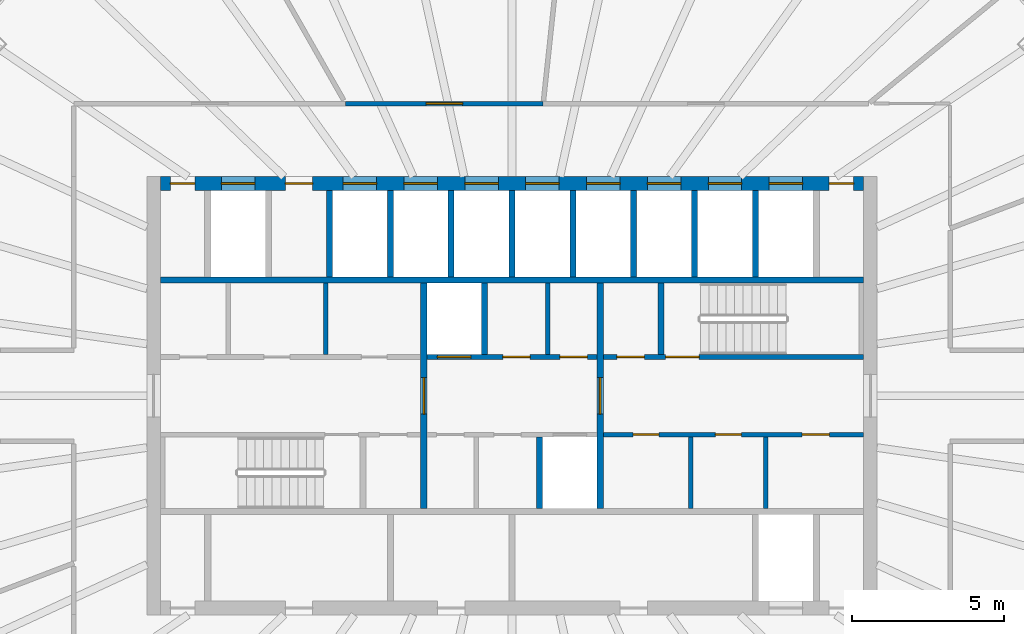
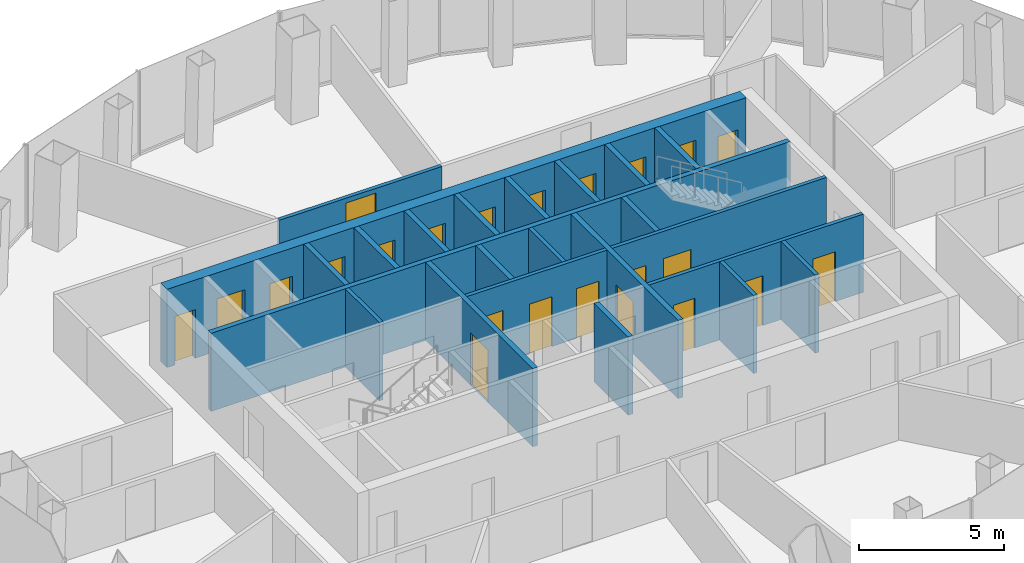
# One storey, part 9 of 11: 23 doors, 23 walls, 23 openings.
"""IFC4 building model written with IfcOpenShell, lengths in metres."""

from ifc_helpers import new_model, si_unit, direction, frame, frame_2d, origin, place, context, subcontext, project, spatial, rectangle, extrude, material, layer, layer_set, type_object, element, fill, save


model = new_model("IFC4")

# Units and contexts
model_context = context("Model", 3, precision=1e-05, world=origin(), true_north=direction((0.0, 1.0)))
body_context = subcontext(model_context, "Body", "Model", "MODEL_VIEW")
ifc_project = project(units=[si_unit("LENGTHUNIT", "METRE"), si_unit("AREAUNIT", "SQUARE_METRE"), si_unit("VOLUMEUNIT", "CUBIC_METRE"), si_unit("PLANEANGLEUNIT", "RADIAN"), si_unit("MASSUNIT", "GRAM", prefix="KILO")], contexts=[model_context])

# Site, building, storey
site_placement = place(None, origin())
site = spatial("IfcSite", under=ifc_project, at=site_placement, CompositionType="ELEMENT")
building_placement = place(site_placement, origin())
building = spatial("IfcBuilding", under=site, at=building_placement, Name="Siaravel Broadcast Tower", CompositionType="ELEMENT")
storey_placement = place(building_placement, frame((0.0, 0.0, 186.699951171875)))
storey = spatial("IfcBuildingStorey", under=building, at=storey_placement, Name="L45", CompositionType="ELEMENT", Elevation=186.699951171875)

# Walls
ifc_material_1 = material(Name="Concrete blockwork", Category="masonry")
ifc_layer_1 = layer(ifc_material_1, 0.14990234375)
ifc_layer_set_1 = layer_set([ifc_layer_1], Name="Concrete blockwork")
wall_type_1 = type_object("IfcWallType", Name="Core partition 150", PredefinedType="PARTITIONING", material=ifc_layer_set_1)
for number, where, z_axis, x_axis, name in (
    (1, (-6.12744140625, 1.35009765625, 0.0), (0.0, 0.0, 1.0), (0.0, 1.0, 0.0), "L45 core partition PNW1"),
    (2, (5.8798828125, -3.699951171875, 0.0), (0.0, 0.0, 1.0), (0.0, 1.0, 0.0), "L45 core partition PSE0"),
    (3, (8.340087890625, -3.699951171875, 0.0), (0.0, 0.0, 1.0), (0.0, 1.0, 0.0), "L45 core partition PSE1"),
    (4, (1.172607421875, 1.35009765625, 0.0), (0.0, 0.0, 1.0), (0.0, 1.0, 0.0), "L45 core partition PNM0"),
):
    element("IfcWall", number, at=place(storey_placement, frame(where, z_axis=z_axis, x_axis=x_axis)), inside=storey, type_object=wall_type_1, Name=name, PredefinedType="PARTITIONING", context=body_context, shape_type="SweptSolid", body=[
        extrude(rectangle(XDim=2.349853515625, YDim=0.14990234375, at=frame_2d((1.1748046875, 0.0))), origin(), (0.0, 0.0, 1.0), 3.300048828125),
    ])

# Wall, openings, doors
ifc_material_2 = material(Name="Concrete C60/75", Category="concrete")
ifc_layer_2 = layer(ifc_material_2, 0.449951171875)
ifc_layer_set_2 = layer_set([ifc_layer_2], Name="Concrete C60/75")
wall_type_2 = type_object("IfcWallType", Name="Core wall 450", PredefinedType="SHEAR", material=ifc_layer_set_2)
wall_1_placement = place(storey_placement, frame((-11.550048828125, 6.97509765625, 0.0), z_axis=(0.0, 0.0, 1.0), x_axis=(1.0, 0.0, 0.0)))
wall_1 = element("IfcWall", 5, at=wall_1_placement, inside=storey, type_object=wall_type_2, Name="L45 core wall ON", PredefinedType="SHEAR", context=body_context, shape_type="SweptSolid", body=[
    extrude(rectangle(XDim=23.10009765625, YDim=0.449951171875, at=frame_2d((11.550048828125, 0.0))), origin(), (0.0, 0.0, 1.0), 3.300048828125),
])
opening_1_placement = place(wall_1_placement, frame((2.0, 0.0, 0.0)))
opening_1 = element("IfcOpeningElement", 6, at=opening_1_placement, cuts=wall_1, Name="Opening LD-SV2-L45", PredefinedType="OPENING", context=body_context, shape_type="SweptSolid", body=[
    extrude(rectangle(XDim=1.10009765625, YDim=2.199951171875, at=frame_2d((0.550048828125, 1.10009765625))), frame((0.0, 0.23486328125, 0.0), z_axis=(0.0, -1.0, 0.0), x_axis=(1.0, 0.0, 0.0)), (0.0, 0.0, 1.0), 0.469970703125),
])
opening_2_placement = place(wall_1_placement, frame((6.0, 0.0, 0.0)))
opening_2 = element("IfcOpeningElement", 7, at=opening_2_placement, cuts=wall_1, Name="Opening LD-HP1-L45", PredefinedType="OPENING", context=body_context, shape_type="SweptSolid", body=[
    extrude(rectangle(XDim=1.10009765625, YDim=2.199951171875, at=frame_2d((0.550048828125, 1.10009765625))), frame((0.0, 0.23486328125, 0.0), z_axis=(0.0, -1.0, 0.0), x_axis=(1.0, 0.0, 0.0)), (0.0, 0.0, 1.0), 0.469970703125),
])
opening_3_placement = place(wall_1_placement, frame((8.0, 0.0, 0.0)))
opening_3 = element("IfcOpeningElement", 8, at=opening_3_placement, cuts=wall_1, Name="Opening LD-HP2-L45", PredefinedType="OPENING", context=body_context, shape_type="SweptSolid", body=[
    extrude(rectangle(XDim=1.10009765625, YDim=2.199951171875, at=frame_2d((0.550048828125, 1.10009765625))), frame((0.0, 0.23486328125, 0.0), z_axis=(0.0, -1.0, 0.0), x_axis=(1.0, 0.0, 0.0)), (0.0, 0.0, 1.0), 0.469970703125),
])
opening_4_placement = place(wall_1_placement, frame((10.0, 0.0, 0.0)))
opening_4 = element("IfcOpeningElement", 9, at=opening_4_placement, cuts=wall_1, Name="Opening LD-HP3-L45", PredefinedType="OPENING", context=body_context, shape_type="SweptSolid", body=[
    extrude(rectangle(XDim=1.10009765625, YDim=2.199951171875, at=frame_2d((0.550048828125, 1.10009765625))), frame((0.0, 0.23486328125, 0.0), z_axis=(0.0, -1.0, 0.0), x_axis=(1.0, 0.0, 0.0)), (0.0, 0.0, 1.0), 0.469970703125),
])
opening_5_placement = place(wall_1_placement, frame((12.0, 0.0, 0.0)))
opening_5 = element("IfcOpeningElement", 10, at=opening_5_placement, cuts=wall_1, Name="Opening LD-HP4-L45", PredefinedType="OPENING", context=body_context, shape_type="SweptSolid", body=[
    extrude(rectangle(XDim=1.10009765625, YDim=2.199951171875, at=frame_2d((0.550048828125, 1.10009765625))), frame((0.0, 0.23486328125, 0.0), z_axis=(0.0, -1.0, 0.0), x_axis=(1.0, 0.0, 0.0)), (0.0, 0.0, 1.0), 0.469970703125),
])
opening_6_placement = place(wall_1_placement, frame((14.0, 0.0, 0.0)))
opening_6 = element("IfcOpeningElement", 11, at=opening_6_placement, cuts=wall_1, Name="Opening LD-HP5-L45", PredefinedType="OPENING", context=body_context, shape_type="SweptSolid", body=[
    extrude(rectangle(XDim=1.10009765625, YDim=2.199951171875, at=frame_2d((0.550048828125, 1.10009765625))), frame((0.0, 0.23486328125, 0.0), z_axis=(0.0, -1.0, 0.0), x_axis=(1.0, 0.0, 0.0)), (0.0, 0.0, 1.0), 0.469970703125),
])
opening_7_placement = place(wall_1_placement, frame((16.0, 0.0, 0.0)))
opening_7 = element("IfcOpeningElement", 12, at=opening_7_placement, cuts=wall_1, Name="Opening LD-HP6-L45", PredefinedType="OPENING", context=body_context, shape_type="SweptSolid", body=[
    extrude(rectangle(XDim=1.10009765625, YDim=2.199951171875, at=frame_2d((0.550048828125, 1.10009765625))), frame((0.0, 0.23486328125, 0.0), z_axis=(0.0, -1.0, 0.0), x_axis=(1.0, 0.0, 0.0)), (0.0, 0.0, 1.0), 0.469970703125),
])
opening_8_placement = place(wall_1_placement, frame((18.0, 0.0, 0.0)))
opening_8 = element("IfcOpeningElement", 13, at=opening_8_placement, cuts=wall_1, Name="Opening LD-HP7-L45", PredefinedType="OPENING", context=body_context, shape_type="SweptSolid", body=[
    extrude(rectangle(XDim=1.10009765625, YDim=2.199951171875, at=frame_2d((0.550048828125, 1.10009765625))), frame((0.0, 0.23486328125, 0.0), z_axis=(0.0, -1.0, 0.0), x_axis=(1.0, 0.0, 0.0)), (0.0, 0.0, 1.0), 0.469970703125),
])
opening_9_placement = place(wall_1_placement, frame((20.0, 0.0, 0.0)))
opening_9 = element("IfcOpeningElement", 14, at=opening_9_placement, cuts=wall_1, Name="Opening LD-HP8-L45", PredefinedType="OPENING", context=body_context, shape_type="SweptSolid", body=[
    extrude(rectangle(XDim=1.10009765625, YDim=2.199951171875, at=frame_2d((0.550048828125, 1.10009765625))), frame((0.0, 0.23486328125, 0.0), z_axis=(0.0, -1.0, 0.0), x_axis=(1.0, 0.0, 0.0)), (0.0, 0.0, 1.0), 0.469970703125),
])
opening_10_placement = place(wall_1_placement, frame((4.10009765625, 0.0, 0.0)))
opening_10 = element("IfcOpeningElement", 15, at=opening_10_placement, cuts=wall_1, Name="Opening L45-DFN1", PredefinedType="OPENING", context=body_context, shape_type="SweptSolid", body=[
    extrude(rectangle(XDim=0.89990234375, YDim=2.10009765625, at=frame_2d((0.449951171875, 1.050048828125))), frame((0.0, 0.23486328125, 0.0), z_axis=(0.0, -1.0, 0.0), x_axis=(1.0, 0.0, 0.0)), (0.0, 0.0, 1.0), 0.469970703125),
])
opening_11_placement = place(wall_1_placement, frame((0.324951171875, 0.0, 0.0)))
opening_11 = element("IfcOpeningElement", 16, at=opening_11_placement, cuts=wall_1, Name="Opening L45-DRNW", PredefinedType="OPENING", context=body_context, shape_type="SweptSolid", body=[
    extrude(rectangle(XDim=0.800048828125, YDim=2.050048828125, at=frame_2d((0.39990234375, 1.02490234375))), frame((0.0, 0.23486328125, 0.0), z_axis=(0.0, -1.0, 0.0), x_axis=(1.0, 0.0, 0.0)), (0.0, 0.0, 1.0), 0.469970703125),
])
opening_12_placement = place(wall_1_placement, frame((21.97509765625, 0.0, 0.0)))
opening_12 = element("IfcOpeningElement", 17, at=opening_12_placement, cuts=wall_1, Name="Opening L45-DRNE", PredefinedType="OPENING", context=body_context, shape_type="SweptSolid", body=[
    extrude(rectangle(XDim=0.800048828125, YDim=2.050048828125, at=frame_2d((0.39990234375, 1.02490234375))), frame((0.0, 0.23486328125, 0.0), z_axis=(0.0, -1.0, 0.0), x_axis=(1.0, 0.0, 0.0)), (0.0, 0.0, 1.0), 0.469970703125),
])
ifc_material_3 = material(Name="Timber veneer", Category="wood")
door_type_1 = type_object("IfcDoorType", Name="Core room door 900", OperationType="SINGLE_SWING_LEFT", PredefinedType="DOOR", material=ifc_material_3)
door_1_placement = place(opening_10_placement, origin())
door_1 = element("IfcDoor", 18, at=door_1_placement, inside=storey, type_object=door_type_1, Name="L45 door DFN1", OperationType="SINGLE_SWING_LEFT", OverallHeight=2.10009765625, OverallWidth=0.89990234375, PredefinedType="DOOR", context=body_context, shape_type="SweptSolid", body=[
    extrude(rectangle(XDim=0.89990234375, YDim=2.10009765625, at=frame_2d((0.449951171875, 1.050048828125))), frame((0.0, 0.02490234375, 0.0), z_axis=(0.0, -1.0, 0.0), x_axis=(1.0, 0.0, 0.0)), (0.0, 0.0, 1.0), 0.050048828125),
])
fill(opening_10, door_1)
ifc_material_4 = material(Name="Stainless steel 316L", Category="steel")
door_type_2 = type_object("IfcDoorType", Name="Lift landing door 1100", OperationType="DOUBLE_DOOR_SLIDING", PredefinedType="DOOR", material=ifc_material_4)
door_2_placement = place(opening_2_placement, origin())
door_2 = element("IfcDoor", 19, at=door_2_placement, inside=storey, type_object=door_type_2, Name="Landing door HP1 L45", OperationType="DOUBLE_DOOR_SLIDING", OverallHeight=2.199951171875, OverallWidth=1.10009765625, PredefinedType="DOOR", context=body_context, shape_type="SweptSolid", body=[
    extrude(rectangle(XDim=1.10009765625, YDim=2.199951171875, at=frame_2d((0.550048828125, 1.10009765625))), frame((0.0, 0.02490234375, 0.0), z_axis=(0.0, -1.0, 0.0), x_axis=(1.0, 0.0, 0.0)), (0.0, 0.0, 1.0), 0.050048828125),
])
fill(opening_2, door_2)
door_3_placement = place(opening_3_placement, origin())
door_3 = element("IfcDoor", 20, at=door_3_placement, inside=storey, type_object=door_type_2, Name="Landing door HP2 L45", OperationType="DOUBLE_DOOR_SLIDING", OverallHeight=2.199951171875, OverallWidth=1.10009765625, PredefinedType="DOOR", context=body_context, shape_type="SweptSolid", body=[
    extrude(rectangle(XDim=1.10009765625, YDim=2.199951171875, at=frame_2d((0.550048828125, 1.10009765625))), frame((0.0, 0.02490234375, 0.0), z_axis=(0.0, -1.0, 0.0), x_axis=(1.0, 0.0, 0.0)), (0.0, 0.0, 1.0), 0.050048828125),
])
fill(opening_3, door_3)
door_4_placement = place(opening_4_placement, origin())
door_4 = element("IfcDoor", 21, at=door_4_placement, inside=storey, type_object=door_type_2, Name="Landing door HP3 L45", OperationType="DOUBLE_DOOR_SLIDING", OverallHeight=2.199951171875, OverallWidth=1.10009765625, PredefinedType="DOOR", context=body_context, shape_type="SweptSolid", body=[
    extrude(rectangle(XDim=1.10009765625, YDim=2.199951171875, at=frame_2d((0.550048828125, 1.10009765625))), frame((0.0, 0.02490234375, 0.0), z_axis=(0.0, -1.0, 0.0), x_axis=(1.0, 0.0, 0.0)), (0.0, 0.0, 1.0), 0.050048828125),
])
fill(opening_4, door_4)
door_5_placement = place(opening_5_placement, origin())
door_5 = element("IfcDoor", 22, at=door_5_placement, inside=storey, type_object=door_type_2, Name="Landing door HP4 L45", OperationType="DOUBLE_DOOR_SLIDING", OverallHeight=2.199951171875, OverallWidth=1.10009765625, PredefinedType="DOOR", context=body_context, shape_type="SweptSolid", body=[
    extrude(rectangle(XDim=1.10009765625, YDim=2.199951171875, at=frame_2d((0.550048828125, 1.10009765625))), frame((0.0, 0.02490234375, 0.0), z_axis=(0.0, -1.0, 0.0), x_axis=(1.0, 0.0, 0.0)), (0.0, 0.0, 1.0), 0.050048828125),
])
fill(opening_5, door_5)
door_6_placement = place(opening_6_placement, origin())
door_6 = element("IfcDoor", 23, at=door_6_placement, inside=storey, type_object=door_type_2, Name="Landing door HP5 L45", OperationType="DOUBLE_DOOR_SLIDING", OverallHeight=2.199951171875, OverallWidth=1.10009765625, PredefinedType="DOOR", context=body_context, shape_type="SweptSolid", body=[
    extrude(rectangle(XDim=1.10009765625, YDim=2.199951171875, at=frame_2d((0.550048828125, 1.10009765625))), frame((0.0, 0.02490234375, 0.0), z_axis=(0.0, -1.0, 0.0), x_axis=(1.0, 0.0, 0.0)), (0.0, 0.0, 1.0), 0.050048828125),
])
fill(opening_6, door_6)
door_7_placement = place(opening_7_placement, origin())
door_7 = element("IfcDoor", 24, at=door_7_placement, inside=storey, type_object=door_type_2, Name="Landing door HP6 L45", OperationType="DOUBLE_DOOR_SLIDING", OverallHeight=2.199951171875, OverallWidth=1.10009765625, PredefinedType="DOOR", context=body_context, shape_type="SweptSolid", body=[
    extrude(rectangle(XDim=1.10009765625, YDim=2.199951171875, at=frame_2d((0.550048828125, 1.10009765625))), frame((0.0, 0.02490234375, 0.0), z_axis=(0.0, -1.0, 0.0), x_axis=(1.0, 0.0, 0.0)), (0.0, 0.0, 1.0), 0.050048828125),
])
fill(opening_7, door_7)
door_8_placement = place(opening_8_placement, origin())
door_8 = element("IfcDoor", 25, at=door_8_placement, inside=storey, type_object=door_type_2, Name="Landing door HP7 L45", OperationType="DOUBLE_DOOR_SLIDING", OverallHeight=2.199951171875, OverallWidth=1.10009765625, PredefinedType="DOOR", context=body_context, shape_type="SweptSolid", body=[
    extrude(rectangle(XDim=1.10009765625, YDim=2.199951171875, at=frame_2d((0.550048828125, 1.10009765625))), frame((0.0, 0.02490234375, 0.0), z_axis=(0.0, -1.0, 0.0), x_axis=(1.0, 0.0, 0.0)), (0.0, 0.0, 1.0), 0.050048828125),
])
fill(opening_8, door_8)
door_9_placement = place(opening_9_placement, origin())
door_9 = element("IfcDoor", 26, at=door_9_placement, inside=storey, type_object=door_type_2, Name="Landing door HP8 L45", OperationType="DOUBLE_DOOR_SLIDING", OverallHeight=2.199951171875, OverallWidth=1.10009765625, PredefinedType="DOOR", context=body_context, shape_type="SweptSolid", body=[
    extrude(rectangle(XDim=1.10009765625, YDim=2.199951171875, at=frame_2d((0.550048828125, 1.10009765625))), frame((0.0, 0.02490234375, 0.0), z_axis=(0.0, -1.0, 0.0), x_axis=(1.0, 0.0, 0.0)), (0.0, 0.0, 1.0), 0.050048828125),
])
fill(opening_9, door_9)
ifc_material_5 = material(Name="Steel", Category="steel")
door_type_3 = type_object("IfcDoorType", Name="Riser door 800", OperationType="SINGLE_SWING_LEFT", PredefinedType="DOOR", material=ifc_material_5)
door_10_placement = place(opening_11_placement, origin())
door_10 = element("IfcDoor", 27, at=door_10_placement, inside=storey, type_object=door_type_3, Name="L45 door DRNW", OperationType="SINGLE_SWING_LEFT", OverallHeight=2.050048828125, OverallWidth=0.800048828125, PredefinedType="DOOR", context=body_context, shape_type="SweptSolid", body=[
    extrude(rectangle(XDim=0.800048828125, YDim=2.050048828125, at=frame_2d((0.39990234375, 1.02490234375))), frame((0.0, 0.02490234375, 0.0), z_axis=(0.0, -1.0, 0.0), x_axis=(1.0, 0.0, 0.0)), (0.0, 0.0, 1.0), 0.050048828125),
])
fill(opening_11, door_10)
door_11_placement = place(opening_12_placement, origin())
door_11 = element("IfcDoor", 28, at=door_11_placement, inside=storey, type_object=door_type_3, Name="L45 door DRNE", OperationType="SINGLE_SWING_LEFT", OverallHeight=2.050048828125, OverallWidth=0.800048828125, PredefinedType="DOOR", context=body_context, shape_type="SweptSolid", body=[
    extrude(rectangle(XDim=0.800048828125, YDim=2.050048828125, at=frame_2d((0.39990234375, 1.02490234375))), frame((0.0, 0.02490234375, 0.0), z_axis=(0.0, -1.0, 0.0), x_axis=(1.0, 0.0, 0.0)), (0.0, 0.0, 1.0), 0.050048828125),
])
fill(opening_12, door_11)
door_type_4 = type_object("IfcDoorType", Name="Service lift landing door 1100", OperationType="DOUBLE_DOOR_SLIDING", PredefinedType="DOOR", material=ifc_material_4)
door_12_placement = place(opening_1_placement, origin())
door_12 = element("IfcDoor", 29, at=door_12_placement, inside=storey, type_object=door_type_4, Name="Landing door SV2 L45", OperationType="DOUBLE_DOOR_SLIDING", OverallHeight=2.199951171875, OverallWidth=1.10009765625, PredefinedType="DOOR", context=body_context, shape_type="SweptSolid", body=[
    extrude(rectangle(XDim=1.10009765625, YDim=2.199951171875, at=frame_2d((0.550048828125, 1.10009765625))), frame((0.0, 0.02490234375, 0.0), z_axis=(0.0, -1.0, 0.0), x_axis=(1.0, 0.0, 0.0)), (0.0, 0.0, 1.0), 0.050048828125),
])
fill(opening_1, door_12)

ifc_material_6 = material(Name="Gypsum board partition", Category="gypsum")
ifc_layer_3 = layer(ifc_material_6, 0.14990234375)
ifc_layer_set_3 = layer_set([ifc_layer_3], Name="Gypsum board partition")
wall_type_3 = type_object("IfcWallType", Name="Corridor wall 150", PredefinedType="PARTITIONING", material=ifc_layer_set_3)
wall_2_placement = place(storey_placement, frame((3.0, -1.27490234375, 0.0), z_axis=(0.0, 0.0, 1.0), x_axis=(1.0, 0.0, 0.0)))
wall_2 = element("IfcWall", 30, at=wall_2_placement, inside=storey, type_object=wall_type_3, Name="L45 core partition CSE", PredefinedType="PARTITIONING", context=body_context, shape_type="SweptSolid", body=[
    extrude(rectangle(XDim=8.550048828125, YDim=0.14990234375, at=frame_2d((4.27490234375, 0.0))), origin(), (0.0, 0.0, 1.0), 3.300048828125),
])
opening_13_placement = place(wall_2_placement, frame((0.9775390625, 0.0, 0.0)))
opening_13 = element("IfcOpeningElement", 31, at=opening_13_placement, cuts=wall_2, Name="Opening L45-DSE0", PredefinedType="OPENING", context=body_context, shape_type="SweptSolid", body=[
    extrude(rectangle(XDim=0.85009765625, YDim=2.10009765625, at=frame_2d((0.425048828125, 1.050048828125))), frame((0.0, 0.0849609375, 0.0), z_axis=(0.0, -1.0, 0.0), x_axis=(1.0, 0.0, 0.0)), (0.0, 0.0, 1.0), 0.169921875),
])
opening_14_placement = place(wall_2_placement, frame((3.68505859375, 0.0, 0.0)))
opening_14 = element("IfcOpeningElement", 32, at=opening_14_placement, cuts=wall_2, Name="Opening L45-DSE1", PredefinedType="OPENING", context=body_context, shape_type="SweptSolid", body=[
    extrude(rectangle(XDim=0.85009765625, YDim=2.10009765625, at=frame_2d((0.425048828125, 1.050048828125))), frame((0.0, 0.0849609375, 0.0), z_axis=(0.0, -1.0, 0.0), x_axis=(1.0, 0.0, 0.0)), (0.0, 0.0, 1.0), 0.169921875),
])
opening_15_placement = place(wall_2_placement, frame((6.532470703125, 0.0, 0.0)))
opening_15 = element("IfcOpeningElement", 33, at=opening_15_placement, cuts=wall_2, Name="Opening L45-DSE2", PredefinedType="OPENING", context=body_context, shape_type="SweptSolid", body=[
    extrude(rectangle(XDim=0.89990234375, YDim=2.10009765625, at=frame_2d((0.449951171875, 1.050048828125))), frame((0.0, 0.0849609375, 0.0), z_axis=(0.0, -1.0, 0.0), x_axis=(1.0, 0.0, 0.0)), (0.0, 0.0, 1.0), 0.169921875),
])
door_13_placement = place(opening_15_placement, origin())
door_13 = element("IfcDoor", 34, at=door_13_placement, inside=storey, type_object=door_type_1, Name="L45 door DSE2", OperationType="SINGLE_SWING_LEFT", OverallHeight=2.10009765625, OverallWidth=0.89990234375, PredefinedType="DOOR", context=body_context, shape_type="SweptSolid", body=[
    extrude(rectangle(XDim=0.89990234375, YDim=2.10009765625, at=frame_2d((0.449951171875, 1.050048828125))), frame((0.0, 0.02490234375, 0.0), z_axis=(0.0, -1.0, 0.0), x_axis=(1.0, 0.0, 0.0)), (0.0, 0.0, 1.0), 0.050048828125),
])
fill(opening_15, door_13)
door_type_5 = type_object("IfcDoorType", Name="Core toilet door 850", OperationType="SINGLE_SWING_LEFT", PredefinedType="DOOR", material=ifc_material_3)
door_14_placement = place(opening_13_placement, origin())
door_14 = element("IfcDoor", 35, at=door_14_placement, inside=storey, type_object=door_type_5, Name="L45 door DSE0", OperationType="SINGLE_SWING_LEFT", OverallHeight=2.10009765625, OverallWidth=0.85009765625, PredefinedType="DOOR", context=body_context, shape_type="SweptSolid", body=[
    extrude(rectangle(XDim=0.85009765625, YDim=2.10009765625, at=frame_2d((0.425048828125, 1.050048828125))), frame((0.0, 0.02490234375, 0.0), z_axis=(0.0, -1.0, 0.0), x_axis=(1.0, 0.0, 0.0)), (0.0, 0.0, 1.0), 0.050048828125),
])
fill(opening_13, door_14)
door_15_placement = place(opening_14_placement, origin())
door_15 = element("IfcDoor", 36, at=door_15_placement, inside=storey, type_object=door_type_5, Name="L45 door DSE1", OperationType="SINGLE_SWING_LEFT", OverallHeight=2.10009765625, OverallWidth=0.85009765625, PredefinedType="DOOR", context=body_context, shape_type="SweptSolid", body=[
    extrude(rectangle(XDim=0.85009765625, YDim=2.10009765625, at=frame_2d((0.425048828125, 1.050048828125))), frame((0.0, 0.02490234375, 0.0), z_axis=(0.0, -1.0, 0.0), x_axis=(1.0, 0.0, 0.0)), (0.0, 0.0, 1.0), 0.050048828125),
])
fill(opening_14, door_15)

# Wall, opening, door
wall_3_placement = place(storey_placement, frame((1.025390625, 9.60009765625, 0.0), z_axis=(0.0, 0.0, 1.0), x_axis=(-1.0, 0.0, 0.0)))
wall_3 = element("IfcWall", 37, at=wall_3_placement, inside=storey, type_object=wall_type_3, Name="L45 partition 12", PredefinedType="PARTITIONING", context=body_context, shape_type="SweptSolid", body=[
    extrude(rectangle(XDim=6.490478515625, YDim=0.14990234375, at=frame_2d((3.2451171875, 0.0))), origin(), (0.0, 0.0, 1.0), 2.400146484375),
])
opening_16_placement = place(wall_3_placement, frame((2.645263671875, 0.0, 0.0)))
opening_16 = element("IfcOpeningElement", 38, at=opening_16_placement, cuts=wall_3, Name="Opening L45-007", PredefinedType="OPENING", context=body_context, shape_type="SweptSolid", body=[
    extrude(rectangle(XDim=1.199951171875, YDim=2.199951171875, at=frame_2d((0.60009765625, 1.10009765625))), frame((0.0, 0.0849609375, 0.0), z_axis=(0.0, -1.0, 0.0), x_axis=(1.0, 0.0, 0.0)), (0.0, 0.0, 1.0), 0.169921875),
])
door_type_6 = type_object("IfcDoorType", Name="Office double door 1200", OperationType="DOUBLE_DOOR_SINGLE_SWING", PredefinedType="DOOR", material=ifc_material_3)
door_16_placement = place(opening_16_placement, origin())
door_16 = element("IfcDoor", 39, at=door_16_placement, inside=storey, type_object=door_type_6, Name="L45 door to Open plan office", OperationType="DOUBLE_DOOR_SINGLE_SWING", OverallHeight=2.199951171875, OverallWidth=1.199951171875, PredefinedType="DOOR", context=body_context, shape_type="SweptSolid", body=[
    extrude(rectangle(XDim=1.199951171875, YDim=2.199951171875, at=frame_2d((0.60009765625, 1.10009765625))), frame((0.0, 0.02490234375, 0.0), z_axis=(0.0, -1.0, 0.0), x_axis=(1.0, 0.0, 0.0)), (0.0, 0.0, 1.0), 0.050048828125),
])
fill(opening_16, door_16)

# Wall, openings, doors
ifc_layer_4 = layer(ifc_material_2, 0.14990234375)
ifc_layer_set_4 = layer_set([ifc_layer_4], Name="Concrete C60/75")
wall_type_4 = type_object("IfcWallType", Name="Shaft wall 150", PredefinedType="SHEAR", material=ifc_layer_set_4)
wall_4_placement = place(storey_placement, frame((-2.800048828125, 1.27490234375, 0.0), z_axis=(0.0, 0.0, 1.0), x_axis=(1.0, 0.0, 0.0)))
wall_4 = element("IfcWall", 40, at=wall_4_placement, inside=storey, type_object=wall_type_4, Name="L45 core wall CNM", PredefinedType="SHEAR", context=body_context, shape_type="SweptSolid", body=[
    extrude(rectangle(XDim=5.60009765625, YDim=0.14990234375, at=frame_2d((2.800048828125, 0.0))), origin(), (0.0, 0.0, 1.0), 3.300048828125),
])
opening_17_placement = place(wall_4_placement, frame((0.35009765625, 0.0, 0.0)))
opening_17 = element("IfcOpeningElement", 41, at=opening_17_placement, cuts=wall_4, Name="Opening LD-FL1-L45", PredefinedType="OPENING", context=body_context, shape_type="SweptSolid", body=[
    extrude(rectangle(XDim=1.10009765625, YDim=2.199951171875, at=frame_2d((0.550048828125, 1.10009765625))), frame((0.0, 0.0849609375, 0.0), z_axis=(0.0, -1.0, 0.0), x_axis=(1.0, 0.0, 0.0)), (0.0, 0.0, 1.0), 0.169921875),
])
opening_18_placement = place(wall_4_placement, frame((2.498779296875, 0.0, 0.0)))
opening_18 = element("IfcOpeningElement", 42, at=opening_18_placement, cuts=wall_4, Name="Opening L45-DNM0", PredefinedType="OPENING", context=body_context, shape_type="SweptSolid", body=[
    extrude(rectangle(XDim=0.89990234375, YDim=2.10009765625, at=frame_2d((0.449951171875, 1.050048828125))), frame((0.0, 0.0849609375, 0.0), z_axis=(0.0, -1.0, 0.0), x_axis=(1.0, 0.0, 0.0)), (0.0, 0.0, 1.0), 0.169921875),
])
opening_19_placement = place(wall_4_placement, frame((4.373779296875, 0.0, 0.0)))
opening_19 = element("IfcOpeningElement", 43, at=opening_19_placement, cuts=wall_4, Name="Opening L45-DNM1", PredefinedType="OPENING", context=body_context, shape_type="SweptSolid", body=[
    extrude(rectangle(XDim=0.89990234375, YDim=2.10009765625, at=frame_2d((0.449951171875, 1.050048828125))), frame((0.0, 0.0849609375, 0.0), z_axis=(0.0, -1.0, 0.0), x_axis=(1.0, 0.0, 0.0)), (0.0, 0.0, 1.0), 0.169921875),
])
door_17_placement = place(opening_18_placement, origin())
door_17 = element("IfcDoor", 44, at=door_17_placement, inside=storey, type_object=door_type_1, Name="L45 door DNM0", OperationType="SINGLE_SWING_LEFT", OverallHeight=2.10009765625, OverallWidth=0.89990234375, PredefinedType="DOOR", context=body_context, shape_type="SweptSolid", body=[
    extrude(rectangle(XDim=0.89990234375, YDim=2.10009765625, at=frame_2d((0.449951171875, 1.050048828125))), frame((0.0, 0.02490234375, 0.0), z_axis=(0.0, -1.0, 0.0), x_axis=(1.0, 0.0, 0.0)), (0.0, 0.0, 1.0), 0.050048828125),
])
fill(opening_18, door_17)
door_18_placement = place(opening_19_placement, origin())
door_18 = element("IfcDoor", 45, at=door_18_placement, inside=storey, type_object=door_type_1, Name="L45 door DNM1", OperationType="SINGLE_SWING_LEFT", OverallHeight=2.10009765625, OverallWidth=0.89990234375, PredefinedType="DOOR", context=body_context, shape_type="SweptSolid", body=[
    extrude(rectangle(XDim=0.89990234375, YDim=2.10009765625, at=frame_2d((0.449951171875, 1.050048828125))), frame((0.0, 0.02490234375, 0.0), z_axis=(0.0, -1.0, 0.0), x_axis=(1.0, 0.0, 0.0)), (0.0, 0.0, 1.0), 0.050048828125),
])
fill(opening_19, door_18)
door_type_7 = type_object("IfcDoorType", Name="Firefighting lift landing door 1100", OperationType="DOUBLE_DOOR_SLIDING", PredefinedType="DOOR", material=ifc_material_4)
door_19_placement = place(opening_17_placement, origin())
door_19 = element("IfcDoor", 46, at=door_19_placement, inside=storey, type_object=door_type_7, Name="Landing door FL1 L45", OperationType="DOUBLE_DOOR_SLIDING", OverallHeight=2.199951171875, OverallWidth=1.10009765625, PredefinedType="DOOR", context=body_context, shape_type="SweptSolid", body=[
    extrude(rectangle(XDim=1.10009765625, YDim=2.199951171875, at=frame_2d((0.550048828125, 1.10009765625))), frame((0.0, 0.02490234375, 0.0), z_axis=(0.0, -1.0, 0.0), x_axis=(1.0, 0.0, 0.0)), (0.0, 0.0, 1.0), 0.050048828125),
])
fill(opening_17, door_19)

wall_5_placement = place(storey_placement, frame((3.0, 1.27490234375, 0.0), z_axis=(0.0, 0.0, 1.0), x_axis=(1.0, 0.0, 0.0)))
wall_5 = element("IfcWall", 47, at=wall_5_placement, inside=storey, type_object=wall_type_4, Name="L45 core wall CNE", PredefinedType="SHEAR", context=body_context, shape_type="SweptSolid", body=[
    extrude(rectangle(XDim=8.550048828125, YDim=0.14990234375, at=frame_2d((4.27490234375, 0.0))), origin(), (0.0, 0.0, 1.0), 3.300048828125),
])
opening_20_placement = place(wall_5_placement, frame((2.050048828125, 0.0, 0.0)))
opening_20 = element("IfcOpeningElement", 48, at=opening_20_placement, cuts=wall_5, Name="Opening L45-DS-2", PredefinedType="OPENING", context=body_context, shape_type="SweptSolid", body=[
    extrude(rectangle(XDim=1.10009765625, YDim=2.14990234375, at=frame_2d((0.550048828125, 1.074951171875))), frame((0.0, 0.0849609375, 0.0), z_axis=(0.0, -1.0, 0.0), x_axis=(1.0, 0.0, 0.0)), (0.0, 0.0, 1.0), 0.169921875),
])
opening_21_placement = place(wall_5_placement, frame((0.449951171875, 0.0, 0.0)))
opening_21 = element("IfcOpeningElement", 49, at=opening_21_placement, cuts=wall_5, Name="Opening L45-DNE0", PredefinedType="OPENING", context=body_context, shape_type="SweptSolid", body=[
    extrude(rectangle(XDim=0.89990234375, YDim=2.10009765625, at=frame_2d((0.449951171875, 1.050048828125))), frame((0.0, 0.0849609375, 0.0), z_axis=(0.0, -1.0, 0.0), x_axis=(1.0, 0.0, 0.0)), (0.0, 0.0, 1.0), 0.169921875),
])
door_20_placement = place(opening_21_placement, origin())
door_20 = element("IfcDoor", 50, at=door_20_placement, inside=storey, type_object=door_type_1, Name="L45 door DNE0", OperationType="SINGLE_SWING_LEFT", OverallHeight=2.10009765625, OverallWidth=0.89990234375, PredefinedType="DOOR", context=body_context, shape_type="SweptSolid", body=[
    extrude(rectangle(XDim=0.89990234375, YDim=2.10009765625, at=frame_2d((0.449951171875, 1.050048828125))), frame((0.0, 0.02490234375, 0.0), z_axis=(0.0, -1.0, 0.0), x_axis=(1.0, 0.0, 0.0)), (0.0, 0.0, 1.0), 0.050048828125),
])
fill(opening_21, door_20)
door_type_8 = type_object("IfcDoorType", Name="Stair door 1100", OperationType="SINGLE_SWING_LEFT", PredefinedType="DOOR", material=ifc_material_5)
door_21_placement = place(opening_20_placement, origin())
door_21 = element("IfcDoor", 51, at=door_21_placement, inside=storey, type_object=door_type_8, Name="L45 door DS-2", OperationType="SINGLE_SWING_LEFT", OverallHeight=2.14990234375, OverallWidth=1.10009765625, PredefinedType="DOOR", context=body_context, shape_type="SweptSolid", body=[
    extrude(rectangle(XDim=1.10009765625, YDim=2.14990234375, at=frame_2d((0.550048828125, 1.074951171875))), frame((0.0, 0.02490234375, 0.0), z_axis=(0.0, -1.0, 0.0), x_axis=(1.0, 0.0, 0.0)), (0.0, 0.0, 1.0), 0.050048828125),
])
fill(opening_20, door_21)

# Walls
ifc_layer_5 = layer(ifc_material_2, 0.199951171875)
ifc_layer_set_5 = layer_set([ifc_layer_5], Name="Concrete C60/75")
wall_type_5 = type_object("IfcWallType", Name="Shaft wall 200", PredefinedType="SHEAR", material=ifc_layer_set_5)
wall_6_placement = place(storey_placement, frame((-11.550048828125, 3.800048828125, 0.0), z_axis=(0.0, 0.0, 1.0), x_axis=(1.0, 0.0, 0.0)))
element("IfcWall", 52, at=wall_6_placement, inside=storey, type_object=wall_type_5, Name="L45 core wall BN", PredefinedType="SHEAR", context=body_context, shape_type="SweptSolid", body=[
    extrude(rectangle(XDim=23.10009765625, YDim=0.199951171875, at=frame_2d((11.550048828125, 0.0))), origin(), (0.0, 0.0, 1.0), 3.300048828125),
])
for number, where, z_axis, x_axis, name in (
    (53, (-6.0, 3.89990234375, 0.0), (0.0, 0.0, 1.0), (0.0, 1.0, 0.0), "L45 core wall SWN2"),
    (54, (-4.0, 3.89990234375, 0.0), (0.0, 0.0, 1.0), (0.0, 1.0, 0.0), "L45 core wall SWN3"),
    (55, (-2.0, 3.89990234375, 0.0), (0.0, 0.0, 1.0), (0.0, 1.0, 0.0), "L45 core wall SWN4"),
    (56, (0.0, 3.89990234375, 0.0), (0.0, 0.0, 1.0), (0.0, 1.0, 0.0), "L45 core wall SWN5"),
    (57, (2.0, 3.89990234375, 0.0), (0.0, 0.0, 1.0), (0.0, 1.0, 0.0), "L45 core wall SWN6"),
    (58, (4.0, 3.89990234375, 0.0), (0.0, 0.0, 1.0), (0.0, 1.0, 0.0), "L45 core wall SWN7"),
    (59, (6.0, 3.89990234375, 0.0), (0.0, 0.0, 1.0), (0.0, 1.0, 0.0), "L45 core wall SWN8"),
    (60, (8.0, 3.89990234375, 0.0), (0.0, 0.0, 1.0), (0.0, 1.0, 0.0), "L45 core wall SWN9"),
):
    element("IfcWall", number, at=place(storey_placement, frame(where, z_axis=z_axis, x_axis=x_axis)), inside=storey, type_object=wall_type_5, Name=name, PredefinedType="SHEAR", context=body_context, shape_type="SweptSolid", body=[
        extrude(rectangle(XDim=2.85009765625, YDim=0.199951171875, at=frame_2d((1.425048828125, 0.0))), origin(), (0.0, 0.0, 1.0), 3.300048828125),
    ])

# Wall, opening, door
wall_7_placement = place(storey_placement, frame((-2.89990234375, -3.699951171875, 0.0), z_axis=(0.0, 0.0, 1.0), x_axis=(0.0, 1.0, 0.0)))
wall_7 = element("IfcWall", 61, at=wall_7_placement, inside=storey, type_object=wall_type_5, Name="L45 core wall LW", PredefinedType="SHEAR", context=body_context, shape_type="SweptSolid", body=[
    extrude(rectangle(XDim=7.39990234375, YDim=0.199951171875, at=frame_2d((3.699951171875, 0.0))), origin(), (0.0, 0.0, 1.0), 3.300048828125),
])
opening_22_placement = place(wall_7_placement, frame((3.10009765625, 0.0, 0.0)))
opening_22 = element("IfcOpeningElement", 62, at=opening_22_placement, cuts=wall_7, Name="Opening L45-DL-W", PredefinedType="OPENING", context=body_context, shape_type="SweptSolid", body=[
    extrude(rectangle(XDim=1.199951171875, YDim=2.199951171875, at=frame_2d((0.60009765625, 1.10009765625))), frame((0.0, 0.10986328125, 0.0), z_axis=(0.0, -1.0, 0.0), x_axis=(1.0, 0.0, 0.0)), (0.0, 0.0, 1.0), 0.219970703125),
])
door_type_9 = type_object("IfcDoorType", Name="Firefighting lobby door 1200", OperationType="SINGLE_SWING_LEFT", PredefinedType="DOOR", material=ifc_material_5)
door_22_placement = place(opening_22_placement, origin())
door_22 = element("IfcDoor", 63, at=door_22_placement, inside=storey, type_object=door_type_9, Name="L45 door DL-W", OperationType="SINGLE_SWING_LEFT", OverallHeight=2.199951171875, OverallWidth=1.199951171875, PredefinedType="DOOR", context=body_context, shape_type="SweptSolid", body=[
    extrude(rectangle(XDim=1.199951171875, YDim=2.199951171875, at=frame_2d((0.60009765625, 1.10009765625))), frame((0.0, 0.02490234375, 0.0), z_axis=(0.0, -1.0, 0.0), x_axis=(1.0, 0.0, 0.0)), (0.0, 0.0, 1.0), 0.050048828125),
])
fill(opening_22, door_22)

wall_8_placement = place(storey_placement, frame((2.89990234375, -3.699951171875, 0.0), z_axis=(0.0, 0.0, 1.0), x_axis=(0.0, 1.0, 0.0)))
wall_8 = element("IfcWall", 64, at=wall_8_placement, inside=storey, type_object=wall_type_5, Name="L45 core wall LE", PredefinedType="SHEAR", context=body_context, shape_type="SweptSolid", body=[
    extrude(rectangle(XDim=7.39990234375, YDim=0.199951171875, at=frame_2d((3.699951171875, 0.0))), origin(), (0.0, 0.0, 1.0), 3.300048828125),
])
opening_23_placement = place(wall_8_placement, frame((3.10009765625, 0.0, 0.0)))
opening_23 = element("IfcOpeningElement", 65, at=opening_23_placement, cuts=wall_8, Name="Opening L45-DL-E", PredefinedType="OPENING", context=body_context, shape_type="SweptSolid", body=[
    extrude(rectangle(XDim=1.199951171875, YDim=2.199951171875, at=frame_2d((0.60009765625, 1.10009765625))), frame((0.0, 0.10986328125, 0.0), z_axis=(0.0, -1.0, 0.0), x_axis=(1.0, 0.0, 0.0)), (0.0, 0.0, 1.0), 0.219970703125),
])
door_23_placement = place(opening_23_placement, origin())
door_23 = element("IfcDoor", 66, at=door_23_placement, inside=storey, type_object=door_type_9, Name="L45 door DL-E", OperationType="SINGLE_SWING_LEFT", OverallHeight=2.199951171875, OverallWidth=1.199951171875, PredefinedType="DOOR", context=body_context, shape_type="SweptSolid", body=[
    extrude(rectangle(XDim=1.199951171875, YDim=2.199951171875, at=frame_2d((0.60009765625, 1.10009765625))), frame((0.0, 0.02490234375, 0.0), z_axis=(0.0, -1.0, 0.0), x_axis=(1.0, 0.0, 0.0)), (0.0, 0.0, 1.0), 0.050048828125),
])
fill(opening_23, door_23)

# Walls
for number, where, z_axis, x_axis, name in (
    (67, (-0.89990234375, 1.35009765625, 0.0), (0.0, 0.0, 1.0), (0.0, 1.0, 0.0), "L45 core wall FF1E"),
    (68, (0.89990234375, -3.699951171875, 0.0), (0.0, 0.0, 1.0), (0.0, 1.0, 0.0), "L45 core wall FF2W"),
    (69, (4.89990234375, 1.35009765625, 0.0), (0.0, 0.0, 1.0), (0.0, 1.0, 0.0), "L45 core wall ST2W"),
):
    element("IfcWall", number, at=place(storey_placement, frame(where, z_axis=z_axis, x_axis=x_axis)), inside=storey, type_object=wall_type_5, Name=name, PredefinedType="SHEAR", context=body_context, shape_type="SweptSolid", body=[
        extrude(rectangle(XDim=2.349853515625, YDim=0.199951171875, at=frame_2d((1.1748046875, 0.0))), origin(), (0.0, 0.0, 1.0), 3.300048828125),
    ])

save(model, "model.ifc")
